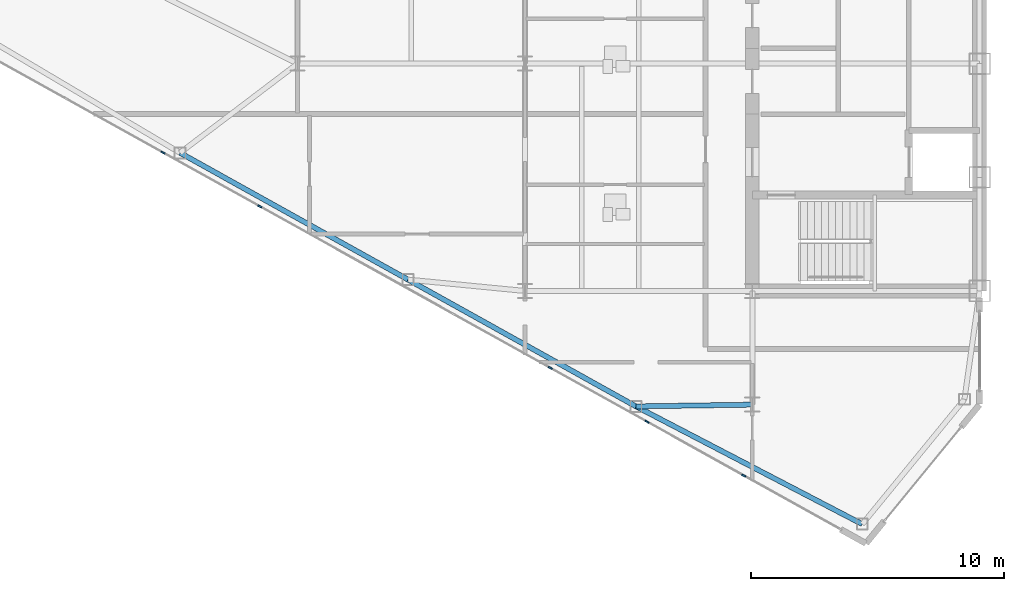
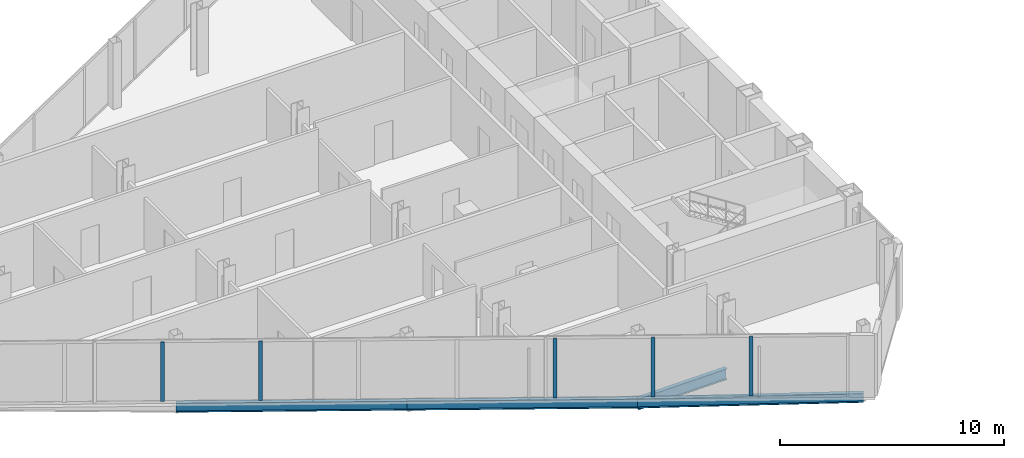
# One storey, part 3 of 26: 5 members, 4 beams, 1 element without a shape of its own.
"""IFC4 building model written with IfcOpenShell, lengths in metres."""

from ifc_helpers import new_model, si_unit, direction, frame, origin, origin_2d, place, context, subcontext, project, spatial, rectangle, i_section, extrude, source, transform, mapped, material, layer, layer_set, material_profile, profile_set, type_object, type_shapes, element, aggregate, save


model = new_model("IFC4")

# Units and contexts
model_context = context("Model", 3, precision=1e-05, world=origin(), true_north=direction((0.0, 1.0)))
body_context = subcontext(model_context, "Body", "Model", "MODEL_VIEW")
ifc_project = project(units=[si_unit("LENGTHUNIT", "METRE"), si_unit("AREAUNIT", "SQUARE_METRE"), si_unit("VOLUMEUNIT", "CUBIC_METRE"), si_unit("PLANEANGLEUNIT", "RADIAN"), si_unit("MASSUNIT", "GRAM", prefix="KILO")], contexts=[model_context])

# Site, building, storey
site_placement = place(None, origin())
site = spatial("IfcSite", under=ifc_project, at=site_placement, CompositionType="ELEMENT")
building_placement = place(site_placement, origin())
building = spatial("IfcBuilding", under=site, at=building_placement, Name="Seokmaru Belvedere", CompositionType="ELEMENT")
storey_placement = place(building_placement, frame((0.0, 0.0, 181.5)))
storey = spatial("IfcBuildingStorey", under=building, at=storey_placement, Name="L48", CompositionType="ELEMENT", Elevation=181.5)

# Beams
ifc_material_1 = material(Name="Steel SM355 (355 MPa)", Category="steel")
ifc_material_profile_1 = material_profile(ifc_material_1, i_section(OverallWidth=0.199951171875, OverallDepth=0.5, WebThickness=0.010009765625, FlangeThickness=0.01611328125, at=origin_2d()), Name="H-500x200x10x16")
ifc_profile_set_1 = profile_set([ifc_material_profile_1], Name="Steel SM355 (355 MPa)")
beam_type_1 = type_object("IfcBeamType", Name="Perimeter Spandrel Beam H-500", PredefinedType="SPANDREL", material=ifc_profile_set_1)
shared_shape_1 = source(origin(), body_context, "Body", "SweptSolid", [
    extrude(i_section(OverallWidth=0.199951171875, OverallDepth=0.5, WebThickness=0.010009765625, FlangeThickness=0.01611328125, at=origin_2d()), origin(), (0.0, 0.0, 1.0), 10.09716796875),
])
beam_1_placement = place(storey_placement, frame((-32.146728515625, -22.731689453125, -0.469970703125), z_axis=(-0.887085728914, 0.461604711369, 0.0), x_axis=(-0.461604711369, -0.887085728914, 0.0)))
element("IfcBeam", 1, at=beam_1_placement, inside=storey, type_object=beam_type_1, Name="L48 W Faceted Flank Spandrel S-1", PredefinedType="SPANDREL", context=body_context, shape_type="MappedRepresentation", body=[
    mapped(shared_shape_1, transform((0.0, 0.0, 0.0), scale=1.0)),
])
shared_shape_2 = source(origin(), body_context, "Body", "SweptSolid", [
    extrude(i_section(OverallWidth=0.199951171875, OverallDepth=0.5, WebThickness=0.010009765625, FlangeThickness=0.01611328125, at=origin_2d()), origin(), (0.0, 0.0, 1.0), 10.327392578125),
])
type_shapes(beam_type_1, [shared_shape_1, shared_shape_2])
for number, where, z_axis, x_axis, name in (
    (2, (-41.103759765625, -18.07080078125, -0.469970703125), (-0.873924120588, 0.486062374037, 0.0), (-0.486062374037, -0.873924120588, 0.0), "L48 W Faceted Flank Spandrel S-2"),
    (3, (-50.129150390625, -13.051025390625, -0.469970703125), (-0.873934162361, 0.48604431882, 0.0), (-0.48604431882, -0.873934162361, 0.0), "L48 W Faceted Flank Spandrel S-3"),
):
    element("IfcBeam", number, at=place(storey_placement, frame(where, z_axis=z_axis, x_axis=x_axis)), inside=storey, type_object=beam_type_1, Name=name, PredefinedType="SPANDREL", context=body_context, shape_type="MappedRepresentation", body=[
        mapped(shared_shape_2, transform((0.0, 0.0, 0.0), scale=1.0)),
    ])
ifc_material_profile_2 = material_profile(ifc_material_1, i_section(OverallWidth=0.199951171875, OverallDepth=0.60009765625, WebThickness=0.010986328125, FlangeThickness=0.01708984375, at=origin_2d()), Name="H-600x200x11x17")
ifc_profile_set_2 = profile_set([ifc_material_profile_2], Name="Steel SM355 (355 MPa)")
beam_type_2 = type_object("IfcBeamType", Name="Primary Floor Girder H-600", PredefinedType="BEAM", material=ifc_profile_set_2)
shared_shape_3 = source(origin(), body_context, "Body", "SweptSolid", [
    extrude(i_section(OverallWidth=0.199951171875, OverallDepth=0.60009765625, WebThickness=0.010986328125, FlangeThickness=0.01708984375, at=origin_2d()), origin(), (0.0, 0.0, 1.0), 4.604248046875),
])
type_shapes(beam_type_2, [shared_shape_3])
beam_2_placement = place(storey_placement, frame((-41.103759765625, -18.07080078125, -0.52001953125), z_axis=(0.999881765622, 0.01537708607, 0.0), x_axis=(-0.01537708607, 0.999881765622, 0.0)))
element("IfcBeam", 4, at=beam_2_placement, inside=storey, type_object=beam_type_2, Name="L48 W Flank Radial Floor Girder S-1", PredefinedType="BEAM", context=body_context, shape_type="MappedRepresentation", body=[
    mapped(shared_shape_3, transform((0.0, 0.0, 0.0), scale=1.0)),
])

# Curtain wall, members
ifc_material_2 = material(Name="Bronze Triple Insulating Glass", Category="glass")
ifc_layer = layer(ifc_material_2, 0.179931640625)
ifc_layer_set = layer_set([ifc_layer], Name="Bronze Triple Insulating Glass")
curtain_wall_type = type_object("IfcCurtainWallType", Name="High-Rise Wind-Corner Curtain Wall System CW-5", PredefinedType="NOTDEFINED", material=ifc_layer_set)
curtain_wall_placement = place(storey_placement, origin())
curtain_wall = element("IfcCurtainWall", 5, at=curtain_wall_placement, inside=storey, type_object=curtain_wall_type, Name="L48 Curtain Wall WF5", PredefinedType="NOTDEFINED")
ifc_material_3 = material(Name="Anodised Bronze Aluminium", Category="aluminium")
ifc_material_profile_3 = material_profile(ifc_material_3, rectangle(XDim=0.06494140625, YDim=0.179931640625, at=origin_2d()), Name="CW-M-65x180")
ifc_profile_set_3 = profile_set([ifc_material_profile_3], Name="Anodised Bronze Aluminium")
member_type = type_object("IfcMemberType", Name="Bronze Unitised Mullion 65x180", PredefinedType="MULLION", material=ifc_profile_set_3)
shared_shape_4 = source(origin(), body_context, "Body", "SweptSolid", [
    extrude(rectangle(XDim=0.06494140625, YDim=0.179931640625, at=origin_2d()), origin(), (0.0, 0.0, 1.0), 3.25),
])
type_shapes(member_type, [shared_shape_4])
member_1_placement = place(storey_placement, frame((-59.83056640625, -8.021728515625, 0.06494140625), z_axis=(0.0, 0.0, 1.0), x_axis=(0.486047125147, 0.873932601598, 0.0)))
member_1 = element("IfcMember", 6, at=member_1_placement, type_object=member_type, Name="CW:L48:WF5 Mullion 3", PredefinedType="MULLION", context=body_context, shape_type="MappedRepresentation", body=[
    mapped(shared_shape_4, transform((0.0, 0.0, 0.0), scale=1.0)),
])
member_2_placement = place(storey_placement, frame((-55.998291015625, -10.153076171875, 0.06494140625), z_axis=(0.0, 0.0, 1.0), x_axis=(0.486047125147, 0.873932601598, 0.0)))
member_2 = element("IfcMember", 7, at=member_2_placement, type_object=member_type, Name="CW:L48:WF5 Mullion 4", PredefinedType="MULLION", context=body_context, shape_type="MappedRepresentation", body=[
    mapped(shared_shape_4, transform((0.0, 0.0, 0.0), scale=1.0)),
])
member_3_placement = place(storey_placement, frame((-44.501708984375, -16.547119140625, 0.06494140625), z_axis=(0.0, 0.0, 1.0), x_axis=(0.486047125147, 0.873932601598, 0.0)))
member_3 = element("IfcMember", 8, at=member_3_placement, type_object=member_type, Name="CW:L48:WF5 Mullion 7", PredefinedType="MULLION", context=body_context, shape_type="MappedRepresentation", body=[
    mapped(shared_shape_4, transform((0.0, 0.0, 0.0), scale=1.0)),
])
member_4_placement = place(storey_placement, frame((-40.66943359375, -18.67822265625, 0.06494140625), z_axis=(0.0, 0.0, 1.0), x_axis=(0.486047125147, 0.873932601598, 0.0)))
member_4 = element("IfcMember", 9, at=member_4_placement, type_object=member_type, Name="CW:L48:WF5 Mullion 8", PredefinedType="MULLION", context=body_context, shape_type="MappedRepresentation", body=[
    mapped(shared_shape_4, transform((0.0, 0.0, 0.0), scale=1.0)),
])
member_5_placement = place(storey_placement, frame((-36.837158203125, -20.809814453125, 0.06494140625), z_axis=(0.0, 0.0, 1.0), x_axis=(0.486047125147, 0.873932601598, 0.0)))
member_5 = element("IfcMember", 10, at=member_5_placement, type_object=member_type, Name="CW:L48:WF5 Mullion 9", PredefinedType="MULLION", context=body_context, shape_type="MappedRepresentation", body=[
    mapped(shared_shape_4, transform((0.0, 0.0, 0.0), scale=1.0)),
])
aggregate(curtain_wall, [member_1, member_2, member_3, member_4, member_5])

save(model, "model.ifc")
